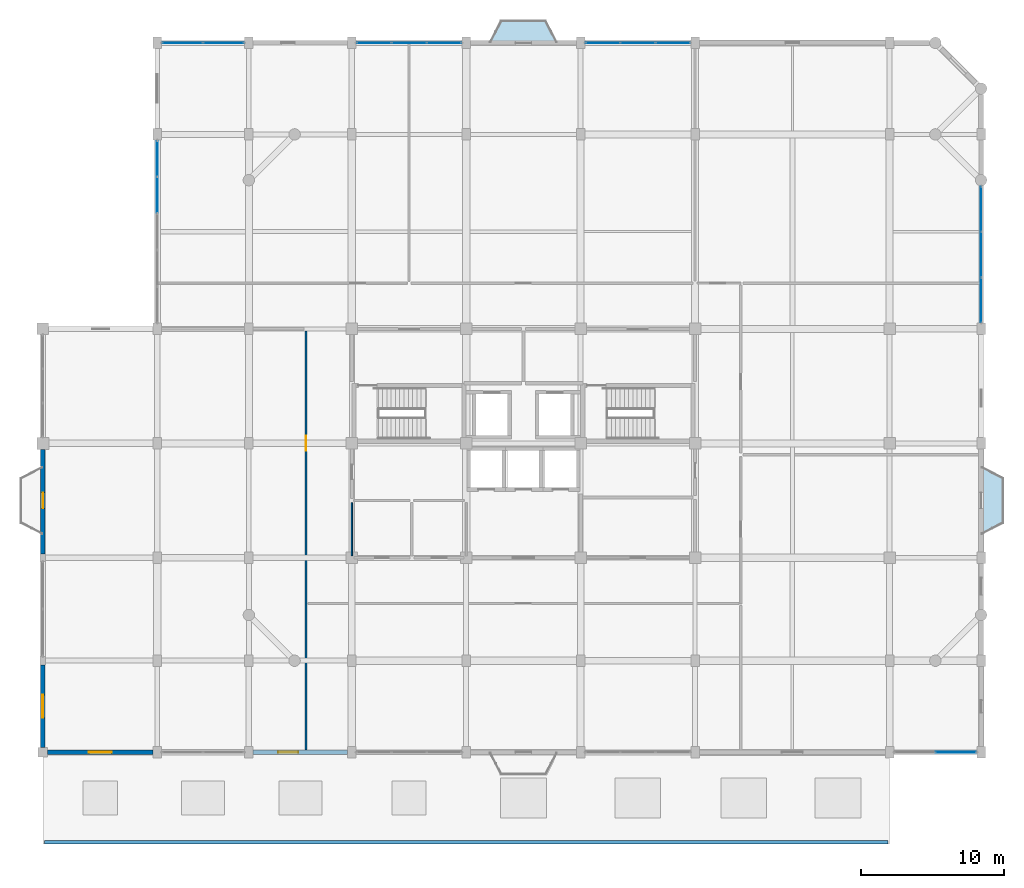
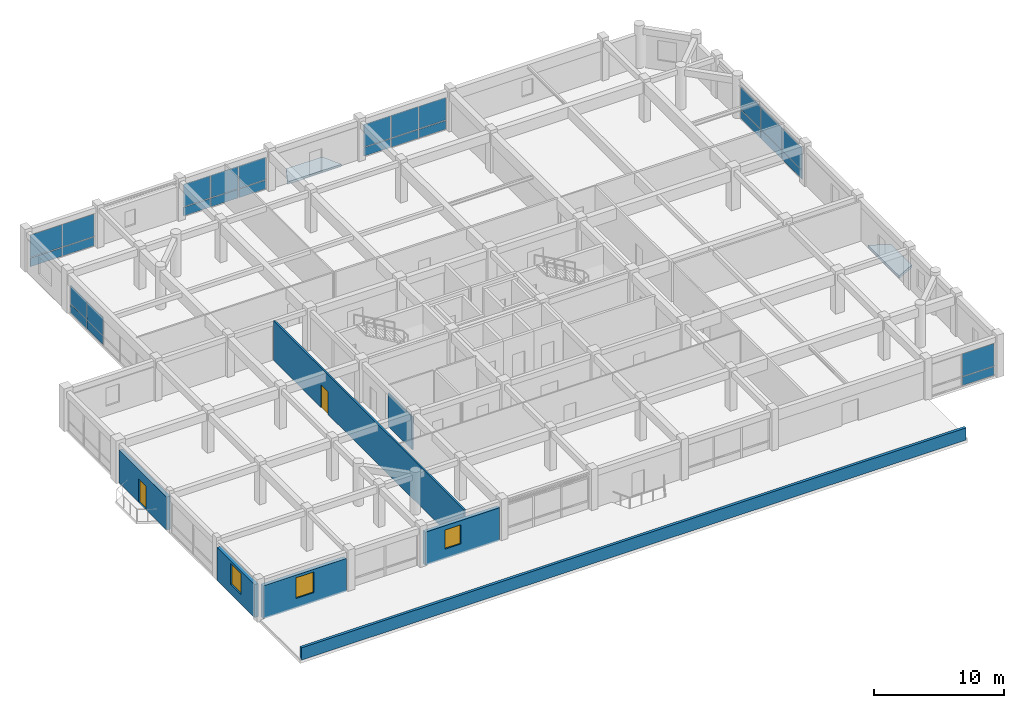
# One storey, part 15 of 20: 28 plates, 7 walls, 3 windows, 2 doors, 2 slabs, 5 openings, 6 elements without a shape of their own.
"""IFC4 building model written with IfcOpenShell, lengths in metres."""

from ifc_helpers import new_model, si_unit, direction, frame, frame_2d, origin, origin_2d, place, context, subcontext, project, spatial, polyline, rectangle, outline, extrude, material, layer, layer_set, type_object, element, fill, aggregate, save


model = new_model("IFC4")

# Units and contexts
model_context = context("Model", 3, precision=1e-05, world=origin(), true_north=direction((0.0, 1.0)))
body_context = subcontext(model_context, "Body", "Model", "MODEL_VIEW")
ifc_project = project(units=[si_unit("LENGTHUNIT", "METRE"), si_unit("AREAUNIT", "SQUARE_METRE"), si_unit("VOLUMEUNIT", "CUBIC_METRE"), si_unit("PLANEANGLEUNIT", "RADIAN"), si_unit("MASSUNIT", "GRAM", prefix="KILO")], contexts=[model_context])

# Site, building, storey
site_placement = place(None, origin())
site = spatial("IfcSite", under=ifc_project, at=site_placement, CompositionType="ELEMENT")
building_placement = place(site_placement, origin())
building = spatial("IfcBuilding", under=site, at=building_placement, Name="Vellmiral Cinema and Media Centre", CompositionType="ELEMENT")
storey_placement = place(building_placement, frame((0.0, 0.0, 23.800048828125)))
storey = spatial("IfcBuildingStorey", under=building, at=storey_placement, Name="L05", CompositionType="ELEMENT", Elevation=23.800048828125)

# Curtain wall, plate
ifc_material_1 = material(Name="Thermally Broken Aluminium and Triple Glazing", Category="aluminium")
curtain_wall_type_1 = type_object("IfcCurtainWallType", Name="CW-TOWER-LOW-S", PredefinedType="USERDEFINED", material=ifc_material_1)
curtain_wall_1_placement = place(storey_placement, origin())
curtain_wall_1 = element("IfcCurtainWall", 1, at=curtain_wall_1_placement, inside=storey, type_object=curtain_wall_type_1, Name="Curtain Wall L05-B008", ObjectType="UNITISED CURTAIN WALL", PredefinedType="USERDEFINED")
ifc_material_2 = material(Name="Solar-Control Acoustic Triple Glazing", Category="glass")
ifc_layer_1 = layer(ifc_material_2, 0.0419921875, Name="Solar-Control Acoustic Triple Glazing")
ifc_layer_set_1 = layer_set([ifc_layer_1], Name="Solar-Control Acoustic Triple Glazing")
plate_type_1 = type_object("IfcPlateType", Name="CWP-SOLAR-42", PredefinedType="CURTAIN_PANEL", material=ifc_layer_set_1)
plate_1_placement = place(storey_placement, frame((166.233642578125, 65.60009765625, 0.932373046875), z_axis=(0.0, 0.0, 1.0), x_axis=(1.0, 0.0, 0.0)))
plate_1 = element("IfcPlate", 2, at=plate_1_placement, type_object=plate_type_1, Name="CW-06 panel 2.2", PredefinedType="CURTAIN_PANEL", context=body_context, shape_type="SweptSolid", body=[
    extrude(rectangle(XDim=2.802490234375, YDim=0.0419921875, at=origin_2d()), origin(), (0.0, 0.0, 1.0), 2.1025390625),
])

# Curtain wall, plates
curtain_wall_2_placement = place(storey_placement, origin())
curtain_wall_2 = element("IfcCurtainWall", 3, at=curtain_wall_2_placement, inside=storey, type_object=curtain_wall_type_1, Name="Curtain Wall L05-B014", ObjectType="UNITISED CURTAIN WALL", PredefinedType="USERDEFINED")
plate_2_placement = place(storey_placement, frame((168.0, 97.21630859375, 0.9326171875), z_axis=(0.0, 0.0, 1.0), x_axis=(0.0, 1.0, 0.0)))
plate_2 = element("IfcPlate", 4, at=plate_2_placement, type_object=plate_type_1, Name="CW-06 panel 1.2", PredefinedType="CURTAIN_PANEL", context=body_context, shape_type="SweptSolid", body=[
    extrude(rectangle(XDim=3.1025390625, YDim=0.0419921875, at=origin_2d()), origin(), (0.0, 0.0, 1.0), 2.08740234375),
])
plate_3_placement = place(storey_placement, frame((168.0, 100.39990234375, 0.9326171875), z_axis=(0.0, 0.0, 1.0), x_axis=(0.0, 1.0, 0.0)))
plate_3 = element("IfcPlate", 5, at=plate_3_placement, type_object=plate_type_1, Name="CW-06 panel 2.2", PredefinedType="CURTAIN_PANEL", context=body_context, shape_type="SweptSolid", body=[
    extrude(rectangle(XDim=3.135009765625, YDim=0.0419921875, at=origin_2d()), origin(), (0.0, 0.0, 1.0), 2.08740234375),
])
plate_4_placement = place(storey_placement, frame((168.0, 103.583740234375, 0.9326171875), z_axis=(0.0, 0.0, 1.0), x_axis=(0.0, 1.0, 0.0)))
plate_4 = element("IfcPlate", 6, at=plate_4_placement, type_object=plate_type_1, Name="CW-06 panel 3.2", PredefinedType="CURTAIN_PANEL", context=body_context, shape_type="SweptSolid", body=[
    extrude(rectangle(XDim=3.1025390625, YDim=0.0419921875, at=origin_2d()), origin(), (0.0, 0.0, 1.0), 2.08740234375),
])

curtain_wall_3_placement = place(storey_placement, origin())
curtain_wall_3 = element("IfcCurtainWall", 7, at=curtain_wall_3_placement, inside=storey, type_object=curtain_wall_type_1, Name="Curtain Wall L05-B020", ObjectType="UNITISED CURTAIN WALL", PredefinedType="USERDEFINED")
plate_5_placement = place(storey_placement, frame((146.450439453125, 115.199951171875, 0.932373046875), z_axis=(0.0, 0.0, 1.0), x_axis=(-1.0, 0.0, 0.0)))
plate_5 = element("IfcPlate", 8, at=plate_5_placement, type_object=plate_type_1, Name="CW-06 panel 1.2", PredefinedType="CURTAIN_PANEL", context=body_context, shape_type="SweptSolid", body=[
    extrude(rectangle(XDim=2.369140625, YDim=0.0419921875, at=origin_2d()), origin(), (0.0, 0.0, 1.0), 2.1025390625),
])
plate_6_placement = place(storey_placement, frame((144.0, 115.199951171875, 0.932373046875), z_axis=(0.0, 0.0, 1.0), x_axis=(-1.0, 0.0, 0.0)))
plate_6 = element("IfcPlate", 9, at=plate_6_placement, type_object=plate_type_1, Name="CW-06 panel 2.2", PredefinedType="CURTAIN_PANEL", context=body_context, shape_type="SweptSolid", body=[
    extrude(rectangle(XDim=2.401611328125, YDim=0.0419921875, at=origin_2d()), origin(), (0.0, 0.0, 1.0), 2.1025390625),
])
plate_7_placement = place(storey_placement, frame((141.549560546875, 115.199951171875, 0.932373046875), z_axis=(0.0, 0.0, 1.0), x_axis=(-1.0, 0.0, 0.0)))
plate_7 = element("IfcPlate", 10, at=plate_7_placement, type_object=plate_type_1, Name="CW-06 panel 3.2", PredefinedType="CURTAIN_PANEL", context=body_context, shape_type="SweptSolid", body=[
    extrude(rectangle(XDim=2.369140625, YDim=0.0419921875, at=origin_2d()), origin(), (0.0, 0.0, 1.0), 2.1025390625),
])

curtain_wall_4_placement = place(storey_placement, origin())
curtain_wall_4 = element("IfcCurtainWall", 11, at=curtain_wall_4_placement, inside=storey, type_object=curtain_wall_type_1, Name="Curtain Wall L05-B022", ObjectType="UNITISED CURTAIN WALL", PredefinedType="USERDEFINED")
plate_8_placement = place(storey_placement, frame((130.450439453125, 115.199951171875, 0.9326171875), z_axis=(0.0, 0.0, 1.0), x_axis=(-1.0, 0.0, 0.0)))
plate_8 = element("IfcPlate", 12, at=plate_8_placement, type_object=plate_type_1, Name="CW-06 panel 1.2", PredefinedType="CURTAIN_PANEL", context=body_context, shape_type="SweptSolid", body=[
    extrude(rectangle(XDim=2.369140625, YDim=0.0419921875, at=origin_2d()), origin(), (0.0, 0.0, 1.0), 2.08740234375),
])
plate_9_placement = place(storey_placement, frame((128.0, 115.199951171875, 0.9326171875), z_axis=(0.0, 0.0, 1.0), x_axis=(-1.0, 0.0, 0.0)))
plate_9 = element("IfcPlate", 13, at=plate_9_placement, type_object=plate_type_1, Name="CW-06 panel 2.2", PredefinedType="CURTAIN_PANEL", context=body_context, shape_type="SweptSolid", body=[
    extrude(rectangle(XDim=2.401611328125, YDim=0.0419921875, at=origin_2d()), origin(), (0.0, 0.0, 1.0), 2.08740234375),
])
plate_10_placement = place(storey_placement, frame((125.549560546875, 115.199951171875, 0.9326171875), z_axis=(0.0, 0.0, 1.0), x_axis=(-1.0, 0.0, 0.0)))
plate_10 = element("IfcPlate", 14, at=plate_10_placement, type_object=plate_type_1, Name="CW-06 panel 3.2", PredefinedType="CURTAIN_PANEL", context=body_context, shape_type="SweptSolid", body=[
    extrude(rectangle(XDim=2.369140625, YDim=0.0419921875, at=origin_2d()), origin(), (0.0, 0.0, 1.0), 2.08740234375),
])

curtain_wall_5_placement = place(storey_placement, origin())
curtain_wall_5 = element("IfcCurtainWall", 15, at=curtain_wall_5_placement, inside=storey, type_object=curtain_wall_type_1, Name="Curtain Wall L05-B024", ObjectType="UNITISED CURTAIN WALL", PredefinedType="USERDEFINED")
plate_11_placement = place(storey_placement, frame((115.03369140625, 115.199951171875, 0.932373046875), z_axis=(0.0, 0.0, 1.0), x_axis=(-1.0, 0.0, 0.0)))
plate_11 = element("IfcPlate", 16, at=plate_11_placement, type_object=plate_type_1, Name="CW-06 panel 1.2", PredefinedType="CURTAIN_PANEL", context=body_context, shape_type="SweptSolid", body=[
    extrude(rectangle(XDim=2.802490234375, YDim=0.0419921875, at=origin_2d()), origin(), (0.0, 0.0, 1.0), 2.1025390625),
])
plate_12_placement = place(storey_placement, frame((112.166259765625, 115.199951171875, 0.932373046875), z_axis=(0.0, 0.0, 1.0), x_axis=(-1.0, 0.0, 0.0)))
plate_12 = element("IfcPlate", 17, at=plate_12_placement, type_object=plate_type_1, Name="CW-06 panel 2.2", PredefinedType="CURTAIN_PANEL", context=body_context, shape_type="SweptSolid", body=[
    extrude(rectangle(XDim=2.802490234375, YDim=0.0419921875, at=origin_2d()), origin(), (0.0, 0.0, 1.0), 2.1025390625),
])

# Plate
ifc_material_3 = material(Name="Polychrome Trencadis Ceramic Spandrel Panel", Category="ceramic")
ifc_layer_2 = layer(ifc_material_3, 0.052001953125, Name="Polychrome Trencadis Ceramic Spandrel Panel")
ifc_layer_set_2 = layer_set([ifc_layer_2], Name="Polychrome Trencadis Ceramic Spandrel Panel")
plate_type_2 = type_object("IfcPlateType", Name="CWP-TRENC-52", PredefinedType="CURTAIN_PANEL", material=ifc_layer_set_2)
plate_13_placement = place(storey_placement, frame((166.233642578125, 65.60009765625, 0.06494140625), z_axis=(0.0, 0.0, 1.0), x_axis=(1.0, 0.0, 0.0)))
plate_13 = element("IfcPlate", 18, at=plate_13_placement, type_object=plate_type_2, Name="CW-06 panel 2.1", PredefinedType="CURTAIN_PANEL", context=body_context, shape_type="SweptSolid", body=[
    extrude(rectangle(XDim=2.802490234375, YDim=0.052001953125, at=origin_2d()), origin(), (0.0, 0.0, 1.0), 0.802490234375),
])

aggregate(curtain_wall_1, [plate_13, plate_1])

plate_14_placement = place(storey_placement, frame((168.0, 97.21630859375, 0.06494140625), z_axis=(0.0, 0.0, 1.0), x_axis=(0.0, 1.0, 0.0)))
plate_14 = element("IfcPlate", 19, at=plate_14_placement, type_object=plate_type_2, Name="CW-06 panel 1.1", PredefinedType="CURTAIN_PANEL", context=body_context, shape_type="SweptSolid", body=[
    extrude(rectangle(XDim=3.1025390625, YDim=0.052001953125, at=origin_2d()), origin(), (0.0, 0.0, 1.0), 0.802490234375),
])

plate_15_placement = place(storey_placement, frame((168.0, 100.39990234375, 0.06494140625), z_axis=(0.0, 0.0, 1.0), x_axis=(0.0, 1.0, 0.0)))
plate_15 = element("IfcPlate", 20, at=plate_15_placement, type_object=plate_type_2, Name="CW-06 panel 2.1", PredefinedType="CURTAIN_PANEL", context=body_context, shape_type="SweptSolid", body=[
    extrude(rectangle(XDim=3.135009765625, YDim=0.052001953125, at=origin_2d()), origin(), (0.0, 0.0, 1.0), 0.802490234375),
])

plate_16_placement = place(storey_placement, frame((168.0, 103.583740234375, 0.06494140625), z_axis=(0.0, 0.0, 1.0), x_axis=(0.0, 1.0, 0.0)))
plate_16 = element("IfcPlate", 21, at=plate_16_placement, type_object=plate_type_2, Name="CW-06 panel 3.1", PredefinedType="CURTAIN_PANEL", context=body_context, shape_type="SweptSolid", body=[
    extrude(rectangle(XDim=3.1025390625, YDim=0.052001953125, at=origin_2d()), origin(), (0.0, 0.0, 1.0), 0.802490234375),
])

aggregate(curtain_wall_2, [plate_14, plate_2, plate_15, plate_3, plate_16, plate_4])

plate_17_placement = place(storey_placement, frame((146.450439453125, 115.199951171875, 0.06494140625), z_axis=(0.0, 0.0, 1.0), x_axis=(-1.0, 0.0, 0.0)))
plate_17 = element("IfcPlate", 22, at=plate_17_placement, type_object=plate_type_2, Name="CW-06 panel 1.1", PredefinedType="CURTAIN_PANEL", context=body_context, shape_type="SweptSolid", body=[
    extrude(rectangle(XDim=2.369140625, YDim=0.052001953125, at=origin_2d()), origin(), (0.0, 0.0, 1.0), 0.802490234375),
])

plate_18_placement = place(storey_placement, frame((144.0, 115.199951171875, 0.06494140625), z_axis=(0.0, 0.0, 1.0), x_axis=(-1.0, 0.0, 0.0)))
plate_18 = element("IfcPlate", 23, at=plate_18_placement, type_object=plate_type_2, Name="CW-06 panel 2.1", PredefinedType="CURTAIN_PANEL", context=body_context, shape_type="SweptSolid", body=[
    extrude(rectangle(XDim=2.401611328125, YDim=0.052001953125, at=origin_2d()), origin(), (0.0, 0.0, 1.0), 0.802490234375),
])

plate_19_placement = place(storey_placement, frame((141.549560546875, 115.199951171875, 0.06494140625), z_axis=(0.0, 0.0, 1.0), x_axis=(-1.0, 0.0, 0.0)))
plate_19 = element("IfcPlate", 24, at=plate_19_placement, type_object=plate_type_2, Name="CW-06 panel 3.1", PredefinedType="CURTAIN_PANEL", context=body_context, shape_type="SweptSolid", body=[
    extrude(rectangle(XDim=2.369140625, YDim=0.052001953125, at=origin_2d()), origin(), (0.0, 0.0, 1.0), 0.802490234375),
])

aggregate(curtain_wall_3, [plate_17, plate_5, plate_18, plate_6, plate_19, plate_7])

plate_20_placement = place(storey_placement, frame((130.450439453125, 115.199951171875, 0.06494140625), z_axis=(0.0, 0.0, 1.0), x_axis=(-1.0, 0.0, 0.0)))
plate_20 = element("IfcPlate", 25, at=plate_20_placement, type_object=plate_type_2, Name="CW-06 panel 1.1", PredefinedType="CURTAIN_PANEL", context=body_context, shape_type="SweptSolid", body=[
    extrude(rectangle(XDim=2.369140625, YDim=0.052001953125, at=origin_2d()), origin(), (0.0, 0.0, 1.0), 0.802490234375),
])

plate_21_placement = place(storey_placement, frame((128.0, 115.199951171875, 0.06494140625), z_axis=(0.0, 0.0, 1.0), x_axis=(-1.0, 0.0, 0.0)))
plate_21 = element("IfcPlate", 26, at=plate_21_placement, type_object=plate_type_2, Name="CW-06 panel 2.1", PredefinedType="CURTAIN_PANEL", context=body_context, shape_type="SweptSolid", body=[
    extrude(rectangle(XDim=2.401611328125, YDim=0.052001953125, at=origin_2d()), origin(), (0.0, 0.0, 1.0), 0.802490234375),
])

plate_22_placement = place(storey_placement, frame((125.549560546875, 115.199951171875, 0.06494140625), z_axis=(0.0, 0.0, 1.0), x_axis=(-1.0, 0.0, 0.0)))
plate_22 = element("IfcPlate", 27, at=plate_22_placement, type_object=plate_type_2, Name="CW-06 panel 3.1", PredefinedType="CURTAIN_PANEL", context=body_context, shape_type="SweptSolid", body=[
    extrude(rectangle(XDim=2.369140625, YDim=0.052001953125, at=origin_2d()), origin(), (0.0, 0.0, 1.0), 0.802490234375),
])

aggregate(curtain_wall_4, [plate_20, plate_8, plate_21, plate_9, plate_22, plate_10])

plate_23_placement = place(storey_placement, frame((115.03369140625, 115.199951171875, 0.06494140625), z_axis=(0.0, 0.0, 1.0), x_axis=(-1.0, 0.0, 0.0)))
plate_23 = element("IfcPlate", 28, at=plate_23_placement, type_object=plate_type_2, Name="CW-06 panel 1.1", PredefinedType="CURTAIN_PANEL", context=body_context, shape_type="SweptSolid", body=[
    extrude(rectangle(XDim=2.802490234375, YDim=0.052001953125, at=origin_2d()), origin(), (0.0, 0.0, 1.0), 0.802490234375),
])

plate_24_placement = place(storey_placement, frame((112.166259765625, 115.199951171875, 0.06494140625), z_axis=(0.0, 0.0, 1.0), x_axis=(-1.0, 0.0, 0.0)))
plate_24 = element("IfcPlate", 29, at=plate_24_placement, type_object=plate_type_2, Name="CW-06 panel 2.1", PredefinedType="CURTAIN_PANEL", context=body_context, shape_type="SweptSolid", body=[
    extrude(rectangle(XDim=2.802490234375, YDim=0.052001953125, at=origin_2d()), origin(), (0.0, 0.0, 1.0), 0.802490234375),
])

aggregate(curtain_wall_5, [plate_23, plate_11, plate_24, plate_12])

# Curtain wall, plates
ifc_material_4 = material(Name="Thermally Broken Aluminium and Triple Glazing", Category="aluminium")
curtain_wall_type_2 = type_object("IfcCurtainWallType", Name="CW-TOWER-LOW-N", PredefinedType="USERDEFINED", material=ifc_material_4)
curtain_wall_6_placement = place(storey_placement, origin())
curtain_wall_6 = element("IfcCurtainWall", 30, at=curtain_wall_6_placement, inside=storey, type_object=curtain_wall_type_2, Name="Curtain Wall L05-B026", ObjectType="UNITISED CURTAIN WALL", PredefinedType="USERDEFINED")
plate_25_placement = place(storey_placement, frame((110.39990234375, 107.103759765625, 0.06494140625), z_axis=(0.0, 0.0, 1.0), x_axis=(0.0, -1.0, 0.0)))
plate_25 = element("IfcPlate", 31, at=plate_25_placement, type_object=plate_type_2, Name="CW-05 panel 1.1", PredefinedType="CURTAIN_PANEL", context=body_context, shape_type="SweptSolid", body=[
    extrude(rectangle(XDim=2.46240234375, YDim=0.052001953125, at=origin_2d()), origin(), (0.0, 0.0, 1.0), 0.802490234375),
])
plate_26_placement = place(storey_placement, frame((110.39990234375, 104.56005859375, 0.06494140625), z_axis=(0.0, 0.0, 1.0), x_axis=(0.0, -1.0, 0.0)))
plate_26 = element("IfcPlate", 32, at=plate_26_placement, type_object=plate_type_2, Name="CW-05 panel 2.1", PredefinedType="CURTAIN_PANEL", context=body_context, shape_type="SweptSolid", body=[
    extrude(rectangle(XDim=2.4951171875, YDim=0.052001953125, at=origin_2d()), origin(), (0.0, 0.0, 1.0), 0.802490234375),
])
ifc_material_5 = material(Name="Triple Low-E Vision Glazing", Category="glass")
ifc_layer_3 = layer(ifc_material_5, 0.0380859375, Name="Triple Low-E Vision Glazing")
ifc_layer_set_3 = layer_set([ifc_layer_3], Name="Triple Low-E Vision Glazing")
plate_type_3 = type_object("IfcPlateType", Name="CWP-VISION-38", PredefinedType="CURTAIN_PANEL", material=ifc_layer_set_3)
plate_27_placement = place(storey_placement, frame((110.39990234375, 107.103759765625, 0.932373046875), z_axis=(0.0, 0.0, 1.0), x_axis=(0.0, -1.0, 0.0)))
plate_27 = element("IfcPlate", 33, at=plate_27_placement, type_object=plate_type_3, Name="CW-05 panel 1.2", PredefinedType="CURTAIN_PANEL", context=body_context, shape_type="SweptSolid", body=[
    extrude(rectangle(XDim=2.46240234375, YDim=0.0380859375, at=origin_2d()), origin(), (0.0, 0.0, 1.0), 1.6875),
])
plate_28_placement = place(storey_placement, frame((110.39990234375, 104.56005859375, 0.932373046875), z_axis=(0.0, 0.0, 1.0), x_axis=(0.0, -1.0, 0.0)))
plate_28 = element("IfcPlate", 34, at=plate_28_placement, type_object=plate_type_3, Name="CW-05 panel 2.2", PredefinedType="CURTAIN_PANEL", context=body_context, shape_type="SweptSolid", body=[
    extrude(rectangle(XDim=2.4951171875, YDim=0.0380859375, at=origin_2d()), origin(), (0.0, 0.0, 1.0), 1.6875),
])
aggregate(curtain_wall_6, [plate_25, plate_27, plate_26, plate_28])

# Slabs
ifc_material_6 = material(Name="Concrete C40/50", Category="concrete")
ifc_layer_4 = layer(ifc_material_6, 0.22998046875, Name="Concrete C40/50")
ifc_layer_set_4 = layer_set([ifc_layer_4], Name="Concrete C40/50")
slab_type = type_object("IfcSlabType", Name="SLB-MIRA-230", PredefinedType="FLOOR", material=ifc_layer_set_4)
slab_1_placement = place(storey_placement, frame((0.0, 0.0, -0.22998046875)))
element("IfcSlab", 35, at=slab_1_placement, inside=storey, type_object=slab_type, Name="Catalan Mirador Balcony L05-E", PredefinedType="FLOOR", context=body_context, shape_type="SweptSolid", body=[
    extrude(outline(polyline([(168.0, 80.800048828125), (169.60009765625, 81.60009765625), (169.60009765625, 84.800048828125), (168.0, 85.60009765625), (168.0, 80.800048828125)])), origin(), (0.0, 0.0, 1.0), 0.22998046875),
])
slab_2_placement = place(storey_placement, frame((0.0, 0.0, -0.22998046875)))
element("IfcSlab", 36, at=slab_2_placement, inside=storey, type_object=slab_type, Name="Catalan Mirador Balcony L05-N", PredefinedType="FLOOR", context=body_context, shape_type="SweptSolid", body=[
    extrude(outline(polyline([(133.60009765625, 115.199951171875), (138.39990234375, 115.199951171875), (137.60009765625, 116.800048828125), (134.39990234375, 116.800048828125), (133.60009765625, 115.199951171875)])), origin(), (0.0, 0.0, 1.0), 0.22998046875),
])

# Wall, opening, window
ifc_material_7 = material(Name="Polychrome Glazed Ceramic Cladding", Category="masonry")
ifc_layer_5 = layer(ifc_material_7, 0.320068359375, Name="Polychrome Glazed Ceramic Cladding")
ifc_layer_set_5 = layer_set([ifc_layer_5], Name="Polychrome Glazed Ceramic Cladding")
wall_type_1 = type_object("IfcWallType", Name="WL-EXT-BRICK-320", PredefinedType="SOLIDWALL", material=ifc_layer_set_5)
wall_1_placement = place(storey_placement, frame((102.72509765625, 65.60009765625, 0.0), z_axis=(0.0, 0.0, 1.0), x_axis=(1.0, 0.0, 0.0)))
wall_1 = element("IfcWall", 37, at=wall_1_placement, inside=storey, type_object=wall_type_1, Name="Exterior Facade Wall L05-001", PredefinedType="SOLIDWALL", context=body_context, shape_type="SweptSolid", body=[
    extrude(rectangle(XDim=7.375, YDim=0.320068359375, at=frame_2d((3.6875, 0.0))), origin(), (0.0, 0.0, 1.0), 3.099853515625),
])
opening_1_placement = place(wall_1_placement, frame((2.887451171875, 0.0, 0.89990234375)))
opening_1 = element("IfcOpeningElement", 38, at=opening_1_placement, cuts=wall_1, Name="Opening WN-05", PredefinedType="OPENING", context=body_context, shape_type="SweptSolid", body=[
    extrude(rectangle(XDim=1.60009765625, YDim=1.949951171875, at=frame_2d((0.800048828125, 0.97509765625))), frame((0.0, 0.171875, 0.0), z_axis=(0.0, -1.0, 0.0), x_axis=(1.0, 0.0, 0.0)), (0.0, 0.0, 1.0), 0.343994140625),
])
ifc_material_8 = material(Name="Thermally Broken Aluminium Triple Glazing", Category="aluminium")
window_type_1 = type_object("IfcWindowType", Name="WN-1600x1950", PartitioningType="DOUBLE_PANEL_VERTICAL", PredefinedType="WINDOW", material=ifc_material_8)
window_1_placement = place(opening_1_placement, origin())
window_1 = element("IfcWindow", 39, at=window_1_placement, inside=storey, type_object=window_type_1, Name="Window L05-001", OverallHeight=1.949951171875, OverallWidth=1.60009765625, PartitioningType="DOUBLE_PANEL_VERTICAL", PredefinedType="WINDOW", context=body_context, shape_type="SweptSolid", body=[
    extrude(rectangle(XDim=1.60009765625, YDim=1.949951171875, at=frame_2d((0.800048828125, 0.97509765625))), frame((0.0, 0.030029296875, 0.0), z_axis=(0.0, -1.0, 0.0), x_axis=(1.0, 0.0, 0.0)), (0.0, 0.0, 1.0), 0.06005859375),
])
fill(opening_1, window_1)

wall_2_placement = place(storey_placement, frame((117.10009765625, 65.60009765625, 0.0), z_axis=(0.0, 0.0, 1.0), x_axis=(1.0, 0.0, 0.0)))
wall_2 = element("IfcWall", 40, at=wall_2_placement, inside=storey, type_object=wall_type_1, Name="Exterior Facade Wall L05-003", PredefinedType="SOLIDWALL", context=body_context, shape_type="SweptSolid", body=[
    extrude(rectangle(XDim=6.599853515625, YDim=0.320068359375, at=frame_2d((3.2998046875, 0.0))), origin(), (0.0, 0.0, 1.0), 3.099853515625),
])
opening_2_placement = place(wall_2_placement, frame((1.75, 0.0, 0.89990234375)))
opening_2 = element("IfcOpeningElement", 41, at=opening_2_placement, cuts=wall_2, Name="Opening WN-07", PredefinedType="OPENING", context=body_context, shape_type="SweptSolid", body=[
    extrude(rectangle(XDim=1.39990234375, YDim=1.800048828125, at=frame_2d((0.699951171875, 0.89990234375))), frame((0.0, 0.171875, 0.0), z_axis=(0.0, -1.0, 0.0), x_axis=(1.0, 0.0, 0.0)), (0.0, 0.0, 1.0), 0.343994140625),
])
ifc_material_9 = material(Name="Thermally Broken Aluminium Triple Glazing", Category="aluminium")
window_type_2 = type_object("IfcWindowType", Name="WN-1400x1800", PartitioningType="SINGLE_PANEL", PredefinedType="WINDOW", material=ifc_material_9)
window_2_placement = place(opening_2_placement, origin())
window_2 = element("IfcWindow", 42, at=window_2_placement, inside=storey, type_object=window_type_2, Name="Window L05-003", OverallHeight=1.800048828125, OverallWidth=1.39990234375, PartitioningType="SINGLE_PANEL", PredefinedType="WINDOW", context=body_context, shape_type="SweptSolid", body=[
    extrude(rectangle(XDim=1.39990234375, YDim=1.800048828125, at=frame_2d((0.699951171875, 0.89990234375))), frame((0.0, 0.030029296875, 0.0), z_axis=(0.0, -1.0, 0.0), x_axis=(1.0, 0.0, 0.0)), (0.0, 0.0, 1.0), 0.06005859375),
])
fill(opening_2, window_2)

# Wall, opening, door
wall_3_placement = place(storey_placement, frame((102.39990234375, 86.77490234375, 0.0), z_axis=(0.0, 0.0, 1.0), x_axis=(0.0, -1.0, 0.0)))
wall_3 = element("IfcWall", 43, at=wall_3_placement, inside=storey, type_object=wall_type_1, Name="Exterior Facade Wall L05-029", PredefinedType="SOLIDWALL", context=body_context, shape_type="SweptSolid", body=[
    extrude(rectangle(XDim=7.324951171875, YDim=0.320068359375, at=frame_2d((3.66259765625, 0.0))), origin(), (0.0, 0.0, 1.0), 3.099853515625),
])
opening_3_placement = place(wall_3_placement, frame((3.02490234375, 0.0, 0.0)))
opening_3 = element("IfcOpeningElement", 44, at=opening_3_placement, cuts=wall_3, Name="Opening DE-06", PredefinedType="OPENING", context=body_context, shape_type="SweptSolid", body=[
    extrude(rectangle(XDim=1.10009765625, YDim=2.199951171875, at=frame_2d((0.550048828125, 1.10009765625))), frame((0.0, 0.171875, 0.0), z_axis=(0.0, -1.0, 0.0), x_axis=(1.0, 0.0, 0.0)), (0.0, 0.0, 1.0), 0.343994140625),
])
ifc_material_10 = material(Name="Thermally Broken Glazed Aluminium and Bronze Door", Category="aluminium")
door_type_1 = type_object("IfcDoorType", Name="DR-MIRA-1100x2200", OperationType="NOTDEFINED", PredefinedType="DOOR", material=ifc_material_10)
door_1_placement = place(opening_3_placement, frame((1.10009765625, 0.0, 0.0), z_axis=(0.0, 0.0, 1.0), x_axis=(-1.0, 0.0, 0.0)))
door_1 = element("IfcDoor", 45, at=door_1_placement, inside=storey, type_object=door_type_1, Name="Mirador Balcony Door L05-W", OperationType="SINGLE_SWING_LEFT", OverallHeight=2.199951171875, OverallWidth=1.10009765625, PredefinedType="DOOR", context=body_context, shape_type="SweptSolid", body=[
    extrude(rectangle(XDim=1.10009765625, YDim=2.199951171875, at=frame_2d((0.550048828125, 1.10009765625))), frame((0.0, 0.02490234375, 0.0), z_axis=(0.0, -1.0, 0.0), x_axis=(1.0, 0.0, 0.0)), (0.0, 0.0, 1.0), 0.050048828125),
])
fill(opening_3, door_1)

# Wall, opening, window
wall_4_placement = place(storey_placement, frame((102.39990234375, 71.699951171875, 0.0), z_axis=(0.0, 0.0, 1.0), x_axis=(0.0, -1.0, 0.0)))
wall_4 = element("IfcWall", 46, at=wall_4_placement, inside=storey, type_object=wall_type_1, Name="Exterior Facade Wall L05-031", PredefinedType="SOLIDWALL", context=body_context, shape_type="SweptSolid", body=[
    extrude(rectangle(XDim=5.77490234375, YDim=0.320068359375, at=frame_2d((2.887451171875, 0.0))), origin(), (0.0, 0.0, 1.0), 3.099853515625),
])
opening_4_placement = place(wall_4_placement, frame((2.08740234375, 0.0, 0.89990234375)))
opening_4 = element("IfcOpeningElement", 47, at=opening_4_placement, cuts=wall_4, Name="Opening WN-05", PredefinedType="OPENING", context=body_context, shape_type="SweptSolid", body=[
    extrude(rectangle(XDim=1.60009765625, YDim=1.949951171875, at=frame_2d((0.800048828125, 0.97509765625))), frame((0.0, 0.171875, 0.0), z_axis=(0.0, -1.0, 0.0), x_axis=(1.0, 0.0, 0.0)), (0.0, 0.0, 1.0), 0.343994140625),
])
window_3_placement = place(opening_4_placement, origin())
window_3 = element("IfcWindow", 48, at=window_3_placement, inside=storey, type_object=window_type_1, Name="Window L05-031", OverallHeight=1.949951171875, OverallWidth=1.60009765625, PartitioningType="DOUBLE_PANEL_VERTICAL", PredefinedType="WINDOW", context=body_context, shape_type="SweptSolid", body=[
    extrude(rectangle(XDim=1.60009765625, YDim=1.949951171875, at=frame_2d((0.800048828125, 0.97509765625))), frame((0.0, 0.030029296875, 0.0), z_axis=(0.0, -1.0, 0.0), x_axis=(1.0, 0.0, 0.0)), (0.0, 0.0, 1.0), 0.06005859375),
])
fill(opening_4, window_3)

# Walls
ifc_material_11 = material(Name="Vosges Red Sandstone Masonry", Category="masonry")
ifc_layer_6 = layer(ifc_material_11, 0.239990234375, Name="Vosges Red Sandstone Masonry")
ifc_layer_set_6 = layer_set([ifc_layer_6], Name="Vosges Red Sandstone Masonry")
wall_type_2 = type_object("IfcWallType", Name="WL-PARAPET-240", PredefinedType="PARAPET", material=ifc_layer_set_6)
wall_5_placement = place(storey_placement, frame((102.52001953125, 59.320068359375, 0.0), z_axis=(0.0, 0.0, 1.0), x_axis=(1.0, 0.0, 0.0)))
element("IfcWall", 49, at=wall_5_placement, inside=storey, type_object=wall_type_2, Name="Roof Parapet Wall SB05-S-1", PredefinedType="PARAPET", context=body_context, shape_type="SweptSolid", body=[
    extrude(rectangle(XDim=58.9599609375, YDim=0.239990234375, at=frame_2d((29.47998046875, 0.0))), origin(), (0.0, 0.0, 1.0), 1.14990234375),
])
ifc_material_12 = material(Name="Gypsum Plasterboard")
ifc_layer_7 = layer(ifc_material_12, 0.02490234375, Name="Gypsum Plasterboard", Category="gypsum")
ifc_material_13 = material(Name="Mineral Wool Acoustic Insulation", Category="insulation")
ifc_layer_8 = layer(ifc_material_13, 0.06005859375, Name="Mineral Wool Acoustic Insulation", Category="insulation")
ifc_layer_9 = layer(ifc_material_12, 0.02490234375, Name="Gypsum Plasterboard", Category="gypsum")
ifc_layer_set_7 = layer_set([ifc_layer_7, ifc_layer_8, ifc_layer_9], Name="Gypsum Plasterboard")
wall_type_3 = type_object("IfcWallType", Name="WL-PART-110", PredefinedType="PARTITIONING", material=ifc_layer_set_7)
wall_6_placement = place(storey_placement, frame((124.0, 79.340087890625, 0.0), z_axis=(0.0, 0.0, 1.0), x_axis=(0.0, 1.0, 0.0)))
element("IfcWall", 50, at=wall_6_placement, inside=storey, type_object=wall_type_3, Name="Staff WC Wall W", PredefinedType="PARTITIONING", context=body_context, shape_type="SweptSolid", body=[
    extrude(rectangle(XDim=3.719970703125, YDim=0.110107421875, at=frame_2d((1.85986328125, 0.0))), origin(), (0.0, 0.0, 1.0), 3.094970703125),
])

# Wall, opening, door
ifc_material_14 = material(Name="Gypsum Plasterboard")
ifc_layer_10 = layer(ifc_material_14, 0.02490234375, Name="Gypsum Plasterboard", Category="gypsum")
ifc_material_15 = material(Name="Mineral Wool Acoustic Insulation", Category="insulation")
ifc_layer_11 = layer(ifc_material_15, 0.10009765625, Name="Mineral Wool Acoustic Insulation", Category="insulation")
ifc_layer_12 = layer(ifc_material_14, 0.02490234375, Name="Gypsum Plasterboard", Category="gypsum")
ifc_layer_set_8 = layer_set([ifc_layer_10, ifc_layer_11, ifc_layer_12], Name="Gypsum Plasterboard")
wall_type_4 = type_object("IfcWallType", Name="WL-PART-150", PredefinedType="PARTITIONING", material=ifc_layer_set_8)
wall_7_placement = place(storey_placement, frame((120.800048828125, 65.77490234375, 0.0), z_axis=(0.0, 0.0, 1.0), x_axis=(0.0, 1.0, 0.0)))
wall_7 = element("IfcWall", 51, at=wall_7_placement, inside=storey, type_object=wall_type_4, Name="West Bridge Media Lab Wall E", PredefinedType="PARTITIONING", context=body_context, shape_type="SweptSolid", body=[
    extrude(rectangle(XDim=29.28515625, YDim=0.14990234375, at=frame_2d((14.642578125, 0.0))), origin(), (0.0, 0.0, 1.0), 3.719970703125),
])
opening_5_placement = place(wall_7_placement, frame((20.89990234375, 0.0, 0.0)))
opening_5 = element("IfcOpeningElement", 52, at=opening_5_placement, cuts=wall_7, Name="Opening D-I07", PredefinedType="OPENING", context=body_context, shape_type="SweptSolid", body=[
    extrude(rectangle(XDim=1.050048828125, YDim=2.14990234375, at=frame_2d((0.52490234375, 1.074951171875))), frame((0.0, 0.0869140625, 0.0), z_axis=(0.0, -1.0, 0.0), x_axis=(1.0, 0.0, 0.0)), (0.0, 0.0, 1.0), 0.173828125),
])
ifc_material_16 = material(Name="Laminated Timber Door", Category="wood")
door_type_2 = type_object("IfcDoorType", Name="DR-INT-1050x2150", OperationType="NOTDEFINED", PredefinedType="DOOR", material=ifc_material_16)
door_2_placement = place(opening_5_placement, origin())
door_2 = element("IfcDoor", 53, at=door_2_placement, inside=storey, type_object=door_type_2, Name="West Bridge Media Lab Door", OperationType="SINGLE_SWING_RIGHT", OverallHeight=2.14990234375, OverallWidth=1.050048828125, PredefinedType="DOOR", context=body_context, shape_type="SweptSolid", body=[
    extrude(rectangle(XDim=1.050048828125, YDim=2.14990234375, at=frame_2d((0.52490234375, 1.074951171875))), frame((0.0, 0.02490234375, 0.0), z_axis=(0.0, -1.0, 0.0), x_axis=(1.0, 0.0, 0.0)), (0.0, 0.0, 1.0), 0.050048828125),
])
fill(opening_5, door_2)

save(model, "model.ifc")
